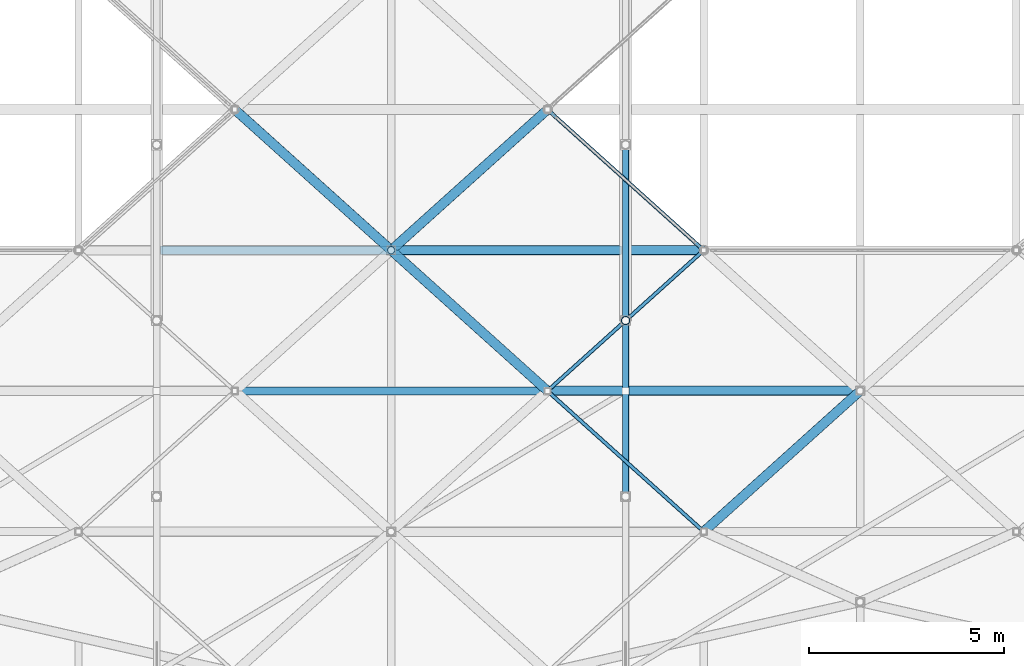
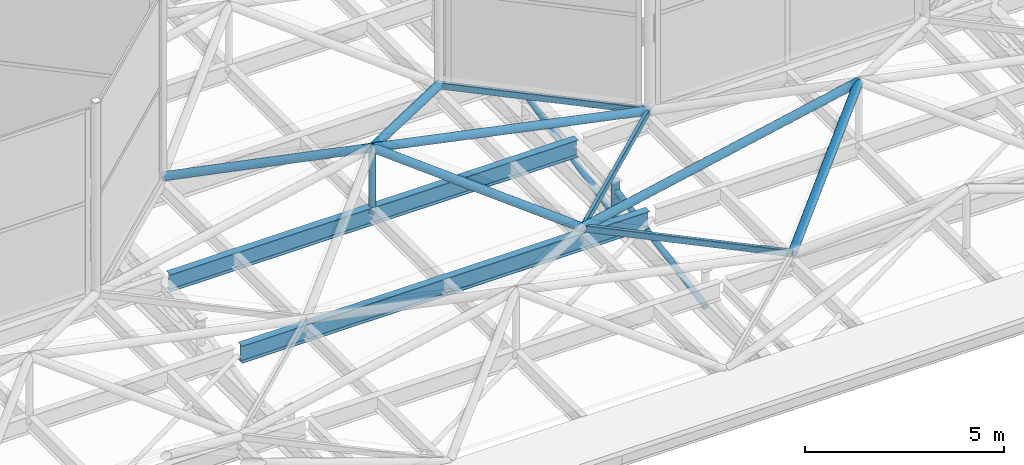
# One storey, part 36 of 239: 10 members, 5 beams.
"""IFC4 building model written with IfcOpenShell, lengths in metres."""

from ifc_helpers import new_model, si_unit, direction, frame, origin, origin_2d, place, context, subcontext, project, spatial, hollow_rectangle, hollow_circle, i_section, extrude, material, material_profile, profile_set, type_object, element, save


model = new_model("IFC4")

# Units and contexts
model_context = context("Model", 3, precision=1e-05, world=origin(), true_north=direction((0.0, 1.0)))
body_context = subcontext(model_context, "Body", "Model", "MODEL_VIEW")
ifc_project = project(units=[si_unit("LENGTHUNIT", "METRE"), si_unit("AREAUNIT", "SQUARE_METRE"), si_unit("VOLUMEUNIT", "CUBIC_METRE"), si_unit("PLANEANGLEUNIT", "RADIAN"), si_unit("MASSUNIT", "GRAM", prefix="KILO")], contexts=[model_context])

# Site, building, storey
site_placement = place(None, origin())
site = spatial("IfcSite", under=ifc_project, at=site_placement, CompositionType="ELEMENT")
building_placement = place(site_placement, origin())
building = spatial("IfcBuilding", under=site, at=building_placement, Name="Dunvalen Ferry Terminal", CompositionType="ELEMENT")
storey_placement = place(building_placement, frame((0.0, 0.0, 9.840087890625)))
storey = spatial("IfcBuildingStorey", under=building, at=storey_placement, Name="L02", CompositionType="ELEMENT", Elevation=9.840087890625)

# Beams
ifc_material = material(Name="Steel S355", Category="steel")
ifc_material_profile_1 = material_profile(ifc_material, hollow_rectangle(XDim=0.10009765625, YDim=0.199951171875, WallThickness=0.008056640625, InnerFilletRadius=0.008056640625, OuterFilletRadius=0.01611328125, at=origin_2d()), Name="Steel S355")
ifc_profile_set_1 = profile_set([ifc_material_profile_1], Name="Steel S355")
beam_type_1 = type_object("IfcBeamType", Name="STR-BM-RHS200", PredefinedType="BEAM", material=ifc_profile_set_1)
beam_1_placement = place(storey_placement, frame((74.0, 54.0, 1.099853515625), z_axis=(-0.743285123004, 0.668974757313, 0.0), x_axis=(-0.668974757313, -0.743285123004, 0.0)))
element("IfcBeam", 1, at=beam_1_placement, inside=storey, type_object=beam_type_1, Name="HEX-29 Hexagonal Rim Beam 4", PredefinedType="BEAM", context=body_context, shape_type="SweptSolid", body=[
    extrude(hollow_rectangle(XDim=0.10009765625, YDim=0.199951171875, WallThickness=0.008056640625, InnerFilletRadius=0.008056640625, OuterFilletRadius=0.01611328125, at=origin_2d()), origin(), (0.0, 0.0, 1.0), 5.381591796875),
])
beam_2_placement = place(storey_placement, frame((70.0, 57.60009765625, 1.099853515625), z_axis=(0.74330768127, 0.668949692402, 0.0), x_axis=(-0.668949692402, 0.74330768127, 0.0)))
element("IfcBeam", 2, at=beam_2_placement, inside=storey, type_object=beam_type_1, Name="HEX-30 Hexagonal Rim Beam 3", PredefinedType="BEAM", context=body_context, shape_type="SweptSolid", body=[
    extrude(hollow_rectangle(XDim=0.10009765625, YDim=0.199951171875, WallThickness=0.008056640625, InnerFilletRadius=0.008056640625, OuterFilletRadius=0.01611328125, at=origin_2d()), origin(), (0.0, 0.0, 1.0), 5.38134765625),
])
beam_3_placement = place(storey_placement, frame((74.0, 61.199951171875, 1.099853515625), z_axis=(-0.743285123004, 0.668974757313, 0.0), x_axis=(-0.668974757313, -0.743285123004, 0.0)))
element("IfcBeam", 3, at=beam_3_placement, inside=storey, type_object=beam_type_1, Name="HEX-30 Hexagonal Rim Beam 4", PredefinedType="BEAM", context=body_context, shape_type="SweptSolid", body=[
    extrude(hollow_rectangle(XDim=0.10009765625, YDim=0.199951171875, WallThickness=0.008056640625, InnerFilletRadius=0.008056640625, OuterFilletRadius=0.01611328125, at=origin_2d()), origin(), (0.0, 0.0, 1.0), 5.381591796875),
])
ifc_material_profile_2 = material_profile(ifc_material, i_section(OverallWidth=0.209228515625, OverallDepth=0.533203125, WebThickness=0.010009765625, FlangeThickness=0.015625, FilletRadius=0.0126953125, at=origin_2d()), Name="Steel S355")
ifc_profile_set_2 = profile_set([ifc_material_profile_2], Name="Steel S355")
beam_type_2 = type_object("IfcBeamType", Name="STR-BM-UKB533", PredefinedType="BEAM", material=ifc_profile_set_2)
for number, where, z_axis, x_axis, name in (
    (4, (60.10009765625, 57.60009765625, 0.7333984375), (1.0, 0.0, 0.0), (0.0, 1.0, 0.0), "Departure Hall Spine Girder B5.03"),
    (5, (60.10009765625, 61.199951171875, 0.7333984375), (1.0, 0.0, 0.0), (0.0, 1.0, 0.0), "Departure Hall Spine Girder B5.04"),
):
    element("IfcBeam", number, at=place(storey_placement, frame(where, z_axis=z_axis, x_axis=x_axis)), inside=storey, type_object=beam_type_2, Name=name, PredefinedType="BEAM", context=body_context, shape_type="SweptSolid", body=[
        extrude(i_section(OverallWidth=0.209228515625, OverallDepth=0.533203125, WebThickness=0.010009765625, FlangeThickness=0.015625, FilletRadius=0.0126953125, at=origin_2d()), origin(), (0.0, 0.0, 1.0), 11.7998046875),
    ])

# Members
ifc_material_profile_3 = material_profile(ifc_material, hollow_circle(Radius=0.084228515625, WallThickness=0.008056640625, at=origin_2d()), Name="Steel S355")
ifc_profile_set_3 = profile_set([ifc_material_profile_3], Name="Steel S355")
member_type_1 = type_object("IfcMemberType", Name="STR-MB-CHS168", PredefinedType="BRACE", material=ifc_profile_set_3)
member_1_placement = place(storey_placement, frame((72.0, 54.89990234375, -0.360107421875), z_axis=(0.0, 0.983218272848, 0.18243307797), x_axis=(-1.0, 0.0, 0.0)))
element("IfcMember", 6, at=member_1_placement, inside=storey, type_object=member_type_1, Name="Departure Hall Arch Web Diagonal 06.2", PredefinedType="BRACE", context=body_context, shape_type="SweptSolid", body=[
    extrude(hollow_circle(Radius=0.084228515625, WallThickness=0.008056640625, at=origin_2d()), origin(), (0.0, 0.0, 1.0), 4.576904296875),
])
member_2_placement = place(storey_placement, frame((72.0, 59.39990234375, -0.360107421875), z_axis=(0.0, 0.975316524259, 0.220811407104), x_axis=(-1.0, 0.0, 0.0)))
element("IfcMember", 7, at=member_2_placement, inside=storey, type_object=member_type_1, Name="Departure Hall Arch Web Diagonal 06.3", PredefinedType="BRACE", context=body_context, shape_type="SweptSolid", body=[
    extrude(hollow_circle(Radius=0.084228515625, WallThickness=0.008056640625, at=origin_2d()), origin(), (0.0, 0.0, 1.0), 4.61376953125),
])
ifc_material_profile_4 = material_profile(ifc_material, hollow_circle(Radius=0.096923828125, WallThickness=0.008056640625, at=origin_2d()), Name="Steel S355")
ifc_profile_set_4 = profile_set([ifc_material_profile_4], Name="Steel S355")
member_type_2 = type_object("IfcMemberType", Name="STR-MB-CHS193", PredefinedType="STRUT", material=ifc_profile_set_4)
member_3_placement = place(storey_placement, frame((66.0, 61.199951171875, 0.77001953125), z_axis=(0.0, 0.0, 1.0), x_axis=(1.0, 0.0, 0.0)))
element("IfcMember", 8, at=member_3_placement, inside=storey, type_object=member_type_2, Name="HEX-30 Pyramid Apex Strut", PredefinedType="STRUT", context=body_context, shape_type="SweptSolid", body=[
    extrude(hollow_circle(Radius=0.096923828125, WallThickness=0.008056640625, at=origin_2d()), origin(), (0.0, 0.0, 1.0), 1.994873046875),
])
ifc_material_profile_5 = material_profile(ifc_material, hollow_circle(Radius=0.109619140625, WallThickness=0.010009765625, at=origin_2d()), Name="Steel S355")
ifc_profile_set_5 = profile_set([ifc_material_profile_5], Name="Steel S355")
member_type_3 = type_object("IfcMemberType", Name="STR-MB-CHS219", PredefinedType="STRUT", material=ifc_profile_set_5)
member_4_placement = place(storey_placement, frame((72.0, 59.39990234375, -0.360107421875), z_axis=(0.0, 0.0, 1.0), x_axis=(1.0, 0.0, 0.0)))
element("IfcMember", 9, at=member_4_placement, inside=storey, type_object=member_type_3, Name="Departure Hall Arch Spandrel Strut 06.2", PredefinedType="STRUT", context=body_context, shape_type="SweptSolid", body=[
    extrude(hollow_circle(Radius=0.109619140625, WallThickness=0.010009765625, at=origin_2d()), origin(), (0.0, 0.0, 1.0), 1.130126953125),
])
ifc_material_profile_6 = material_profile(ifc_material, hollow_circle(Radius=0.122314453125, WallThickness=0.010009765625, at=origin_2d()), Name="Steel S355")
ifc_profile_set_6 = profile_set([ifc_material_profile_6], Name="Steel S355")
member_type_4 = type_object("IfcMemberType", Name="STR-MB-CHS244", PredefinedType="STRUT", material=ifc_profile_set_6)
member_5_placement = place(storey_placement, frame((70.0, 57.60009765625, 1.099853515625), z_axis=(-0.710094348105, 0.639058908863, 0.295583706914), x_axis=(-0.668949692402, -0.74330768127, 0.0)))
element("IfcMember", 10, at=member_5_placement, inside=storey, type_object=member_type_4, Name="HEX-30 Pyramid Hip Rafter 3", PredefinedType="STRUT", context=body_context, shape_type="SweptSolid", body=[
    extrude(hollow_circle(Radius=0.122314453125, WallThickness=0.010009765625, at=origin_2d()), origin(), (0.0, 0.0, 1.0), 5.633056640625),
])
member_6_placement = place(storey_placement, frame((74.0, 61.199951171875, 1.099853515625), z_axis=(-0.979020171275, 0.0, 0.203763353518), x_axis=(0.0, -1.0, 0.0)))
element("IfcMember", 11, at=member_6_placement, inside=storey, type_object=member_type_4, Name="HEX-30 Pyramid Hip Rafter 4", PredefinedType="STRUT", context=body_context, shape_type="SweptSolid", body=[
    extrude(hollow_circle(Radius=0.122314453125, WallThickness=0.010009765625, at=origin_2d()), origin(), (0.0, 0.0, 1.0), 8.17138671875),
])
for number, where, z_axis, x_axis, name in (
    (12, (70.0, 64.800048828125, 1.099853515625), (-0.710074680578, -0.639084548328, 0.295575520114), (0.668974757313, -0.743285123004, 0.0), "HEX-30 Pyramid Hip Rafter 5"),
    (13, (62.0, 64.800048828125, 1.099853515625), (0.710074680578, -0.639084548328, 0.295575520114), (0.668974757313, 0.743285123004, 0.0), "HEX-30 Pyramid Hip Rafter 6"),
):
    element("IfcMember", number, at=place(storey_placement, frame(where, z_axis=z_axis, x_axis=x_axis)), inside=storey, type_object=member_type_4, Name=name, PredefinedType="STRUT", context=body_context, shape_type="SweptSolid", body=[
        extrude(hollow_circle(Radius=0.122314453125, WallThickness=0.010009765625, at=origin_2d()), origin(), (0.0, 0.0, 1.0), 5.63330078125),
    ])
member_7_placement = place(storey_placement, frame((70.0, 57.60009765625, 1.099853515625), z_axis=(0.979020171275, 0.0, 0.203763353518), x_axis=(0.0, 1.0, 0.0)))
element("IfcMember", 14, at=member_7_placement, inside=storey, type_object=member_type_4, Name="HEX-35 Pyramid Hip Rafter 1", PredefinedType="STRUT", context=body_context, shape_type="SweptSolid", body=[
    extrude(hollow_circle(Radius=0.122314453125, WallThickness=0.010009765625, at=origin_2d()), origin(), (0.0, 0.0, 1.0), 8.17138671875),
])
member_8_placement = place(storey_placement, frame((74.0, 54.0, 1.099853515625), z_axis=(0.710074680578, 0.639084548328, 0.295575520114), x_axis=(-0.668974757313, 0.743285123004, 0.0)))
element("IfcMember", 15, at=member_8_placement, inside=storey, type_object=member_type_4, Name="HEX-35 Pyramid Hip Rafter 2", PredefinedType="STRUT", context=body_context, shape_type="SweptSolid", body=[
    extrude(hollow_circle(Radius=0.122314453125, WallThickness=0.010009765625, at=origin_2d()), origin(), (0.0, 0.0, 1.0), 5.63330078125),
])

save(model, "model.ifc")
